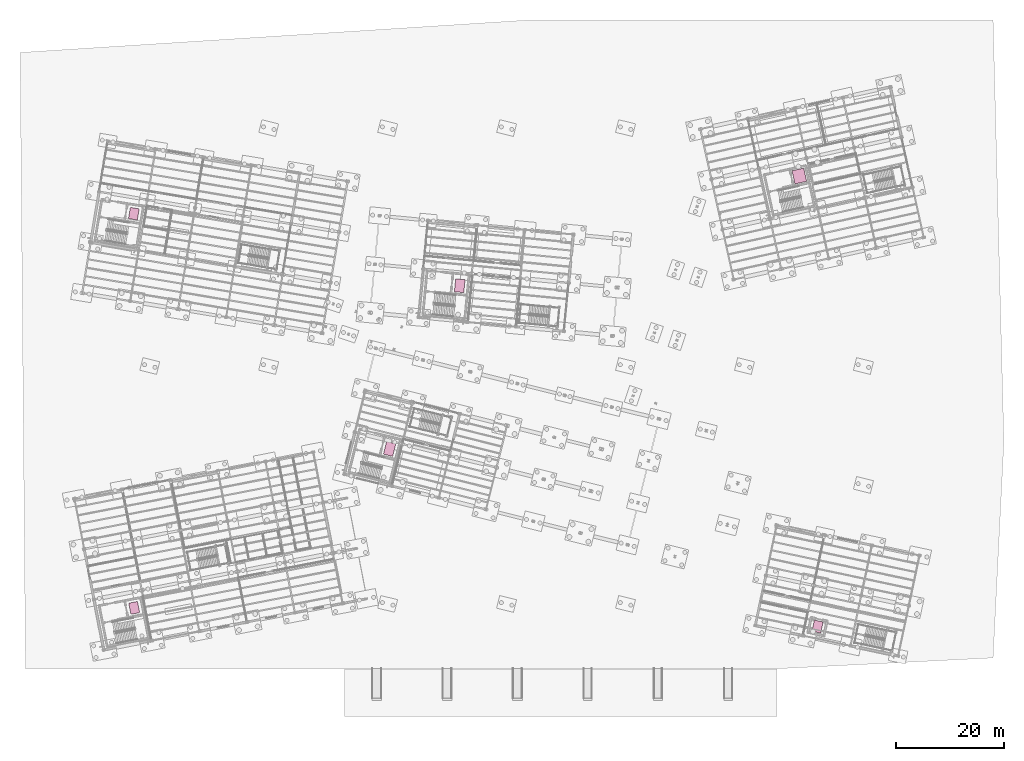
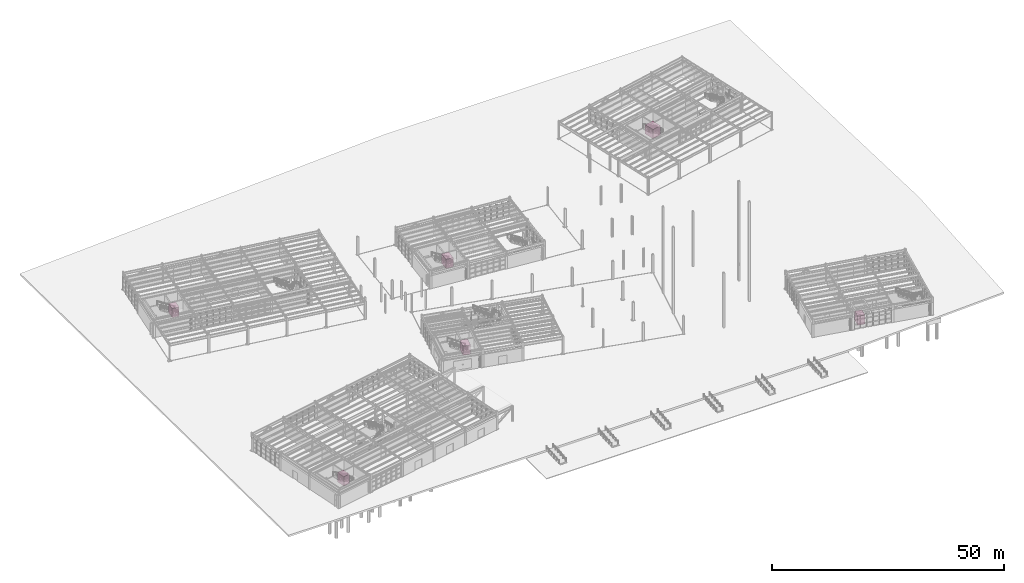
# One storey, part 108 of 108: 6 transport elements.
"""IFC4 building model written with IfcOpenShell, lengths in metres."""

from ifc_helpers import new_model, si_unit, direction, frame, origin, origin_2d, place, context, subcontext, project, spatial, rectangle, extrude, material, type_object, element, save


model = new_model("IFC4")

# Units and contexts
model_context = context("Model", 3, precision=1e-05, world=origin(), true_north=direction((0.0, 1.0)))
body_context = subcontext(model_context, "Body", "Model", "MODEL_VIEW")
ifc_project = project(units=[si_unit("LENGTHUNIT", "METRE"), si_unit("AREAUNIT", "SQUARE_METRE"), si_unit("VOLUMEUNIT", "CUBIC_METRE"), si_unit("PLANEANGLEUNIT", "RADIAN"), si_unit("MASSUNIT", "GRAM", prefix="KILO")], contexts=[model_context])

# Site, building, storey
site_placement = place(None, origin())
site = spatial("IfcSite", under=ifc_project, at=site_placement, CompositionType="ELEMENT")
building_placement = place(site_placement, origin())
building = spatial("IfcBuilding", under=site, at=building_placement, Name="Vireo Bluff Cable Station", CompositionType="ELEMENT")
storey_placement = place(building_placement, origin())
storey = spatial("IfcBuildingStorey", under=building, at=storey_placement, Name="L00", CompositionType="ELEMENT", Elevation=0.0)

# Transport elements
ifc_material = material(Name="Stainless Steel 316", Category="steel")
transport_element_type_1 = type_object("IfcTransportElementType", Name="ELEVATOR-2100X1650", PredefinedType="ELEVATOR", material=ifc_material)
for number, where, z_axis, x_axis, name in (
    (1, (15.052978515625, 86.174560546875, 0.0), (0.0, 0.0, 1.0), (0.986285601537, -0.165047605861, 0.0), "CORE-3 elevator LP-01"),
    (2, (15.12158203125, 13.265380859375, 0.0), (0.0, 0.0, 1.0), (0.981627183448, 0.190808995377, 0.0), "CORE-5 elevator LP-02"),
    (3, (141.510498046875, 9.802490234375, 0.0), (0.0, 0.0, 1.0), (0.978147600734, -0.207911690818, 0.0), "V5E passenger elevator LP-03"),
):
    element("IfcTransportElement", number, at=place(storey_placement, frame(where, z_axis=z_axis, x_axis=x_axis)), inside=storey, type_object=transport_element_type_1, Name=name, PredefinedType="ELEVATOR", context=body_context, shape_type="SweptSolid", body=[
        extrude(rectangle(XDim=1.64990234375, YDim=2.10009765625, at=origin_2d()), origin(), (0.0, 0.0, 1.0), 2.39990234375),
    ])
transport_element_type_2 = type_object("IfcTransportElementType", Name="ELEVATOR-2400X1750", PredefinedType="ELEVATOR", material=ifc_material)
for number, where, z_axis, x_axis, name in (
    (4, (75.333740234375, 72.852783203125, 0.0), (0.0, 0.0, 1.0), (0.995396198367, -0.09584575252, 0.0), "CORE-1 elevator LF-01"),
    (5, (62.376708984375, 42.661865234375, 0.0), (0.0, 0.0, 1.0), (0.970295726276, -0.2419218956, 0.0), "CORE-2 elevator LF-02"),
):
    element("IfcTransportElement", number, at=place(storey_placement, frame(where, z_axis=z_axis, x_axis=x_axis)), inside=storey, type_object=transport_element_type_2, Name=name, PredefinedType="ELEVATOR", context=body_context, shape_type="SweptSolid", body=[
        extrude(rectangle(XDim=1.75, YDim=2.39990234375, at=origin_2d()), origin(), (0.0, 0.0, 1.0), 2.39990234375),
    ])
transport_element_type_3 = type_object("IfcTransportElementType", Name="ELEVATOR-2500X2200", PredefinedType="ELEVATOR", material=ifc_material)
transport_element_placement = place(storey_placement, frame((138.14697265625, 93.132568359375, 0.0), z_axis=(0.0, 0.0, 1.0), x_axis=(0.97629600712, 0.216439613938, 0.0)))
element("IfcTransportElement", 6, at=transport_element_placement, inside=storey, type_object=transport_element_type_3, Name="CORE-4 elevator LG-01", PredefinedType="ELEVATOR", context=body_context, shape_type="SweptSolid", body=[
    extrude(rectangle(XDim=2.199951171875, YDim=2.5, at=origin_2d()), origin(), (0.0, 0.0, 1.0), 2.39990234375),
])

save(model, "model.ifc")
